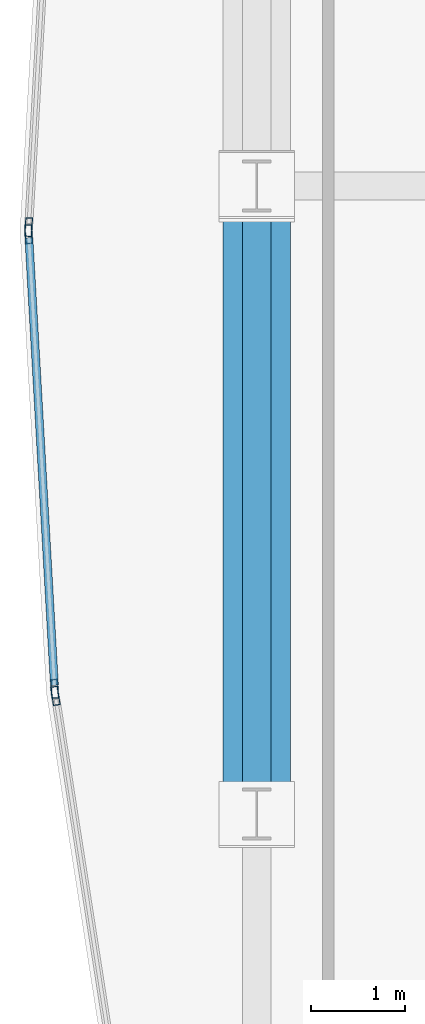
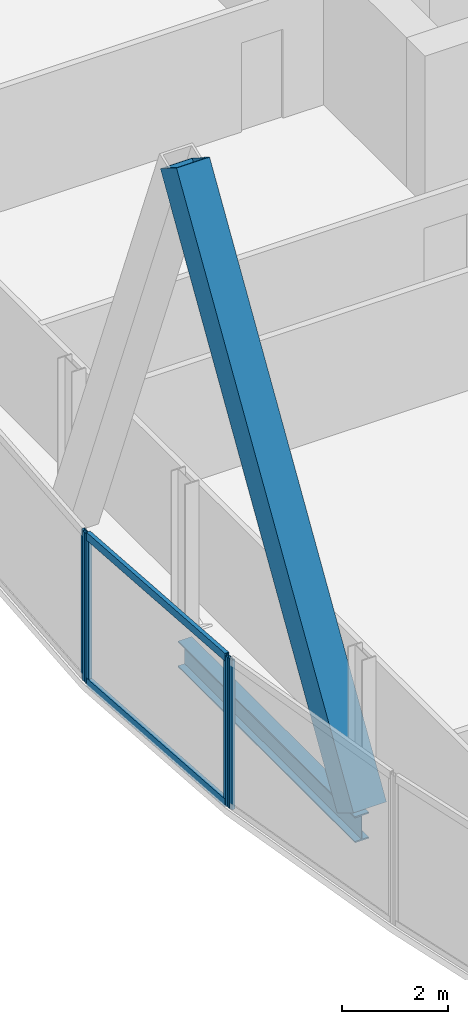
# One storey, part 10 of 30: 7 members, 1 beam, 3 elements without a shape of their own.
"""IFC4 building model written with IfcOpenShell, lengths in metres."""

from ifc_helpers import new_model, si_unit, direction, frame, origin, origin_2d, place, context, subcontext, project, spatial, hollow_rectangle, i_section, extrude, material, material_profile, profile_set, type_object, element, aggregate, save


model = new_model("IFC4")

# Units and contexts
model_context = context("Model", 3, precision=1e-05, world=origin(), true_north=direction((0.0, 1.0)))
body_context = subcontext(model_context, "Body", "Model", "MODEL_VIEW")
ifc_project = project(units=[si_unit("LENGTHUNIT", "METRE"), si_unit("AREAUNIT", "SQUARE_METRE"), si_unit("VOLUMEUNIT", "CUBIC_METRE"), si_unit("PLANEANGLEUNIT", "RADIAN"), si_unit("MASSUNIT", "GRAM", prefix="KILO")], contexts=[model_context])

# Site, building, storey
site_placement = place(None, origin())
site = spatial("IfcSite", under=ifc_project, at=site_placement, CompositionType="ELEMENT")
building_placement = place(site_placement, origin())
building = spatial("IfcBuilding", under=site, at=building_placement, Name="Khoronbel Lancet Exchange", CompositionType="ELEMENT")
storey_placement = place(building_placement, frame((0.0, 0.0, 157.800048828125)))
storey = spatial("IfcBuildingStorey", under=building, at=storey_placement, Name="L39", CompositionType="ELEMENT", Elevation=157.800048828125)

# Beam
ifc_material_1 = material(Name="Steel S355", Category="steel")
ifc_material_profile_1 = material_profile(ifc_material_1, i_section(OverallWidth=0.300048828125, OverallDepth=0.60009765625, WebThickness=0.015380859375, FlangeThickness=0.030029296875, at=origin_2d()), Name="HEB 600")
ifc_profile_set_1 = profile_set([ifc_material_profile_1], Name="Steel S355")
beam_type = type_object("IfcBeamType", Name="BM-BSP2", PredefinedType="SPANDREL", material=ifc_profile_set_1)
beam_placement = place(storey_placement, frame((5.27001953125, 31.425048828125, -0.4599609375), z_axis=(0.0, -1.0, 0.0), x_axis=(1.0, 0.0, 0.0)))
element("IfcBeam", 1, at=beam_placement, inside=storey, type_object=beam_type, Name="Level L39 perimeter spandrel beam SP19", PredefinedType="SPANDREL", context=body_context, shape_type="SweptSolid", body=[
    extrude(i_section(OverallWidth=0.300048828125, OverallDepth=0.60009765625, WebThickness=0.015380859375, FlangeThickness=0.030029296875, at=origin_2d()), origin(), (0.0, 0.0, 1.0), 6.675048828125),
])

# Curtain wall, member
ifc_material_2 = material(Name="Low-E Solar Control Insulating Glass", Category="glass")
curtain_wall_type = type_object("IfcCurtainWallType", Name="CW-4", PredefinedType="NOTDEFINED", material=ifc_material_2)
curtain_wall_1_placement = place(storey_placement, origin())
curtain_wall_1 = element("IfcCurtainWall", 2, at=curtain_wall_1_placement, inside=storey, type_object=curtain_wall_type, Name="Unitised curtain wall CW-L39-E05", PredefinedType="NOTDEFINED")
ifc_material_3 = material(Name="Bronze-Anodised Aluminium 6063-T6", Category="aluminium")
ifc_material_profile_2 = material_profile(ifc_material_3, hollow_rectangle(XDim=0.074951171875, YDim=0.199951171875, WallThickness=0.0048828125, at=origin_2d()), Name="ALU MULLION 75x200")
ifc_profile_set_2 = profile_set([ifc_material_profile_2], Name="Bronze-Anodised Aluminium 6063-T6")
member_type_1 = type_object("IfcMemberType", Name="MEM-CWM2", PredefinedType="MULLION", material=ifc_profile_set_2)
member_1_placement = place(storey_placement, frame((3.1298828125, 26.005859375, 0.0), z_axis=(0.0, 0.0, 1.0), x_axis=(-0.98804136719, -0.154189029189, 0.0)))
member_1 = element("IfcMember", 3, at=member_1_placement, type_object=member_type_1, Name="CW4 mullion 2", PredefinedType="MULLION", context=body_context, shape_type="SweptSolid", body=[
    extrude(hollow_rectangle(XDim=0.074951171875, YDim=0.199951171875, WallThickness=0.0048828125, at=origin_2d()), origin(), (0.0, 0.0, 1.0), 3.43994140625),
])
aggregate(curtain_wall_1, [member_1])

# Curtain wall, members
curtain_wall_2_placement = place(storey_placement, origin())
curtain_wall_2 = element("IfcCurtainWall", 4, at=curtain_wall_2_placement, inside=storey, type_object=curtain_wall_type, Name="Unitised curtain wall CW-L39-E06", PredefinedType="NOTDEFINED")
member_2_placement = place(storey_placement, frame((3.1220703125, 26.080322265625, 0.0), z_axis=(0.0, 0.0, 1.0), x_axis=(-0.998372625392, -0.05702719411, 0.0)))
member_2 = element("IfcMember", 5, at=member_2_placement, type_object=member_type_1, Name="CW4 mullion 1", PredefinedType="MULLION", context=body_context, shape_type="SweptSolid", body=[
    extrude(hollow_rectangle(XDim=0.074951171875, YDim=0.199951171875, WallThickness=0.0048828125, at=origin_2d()), origin(), (0.0, 0.0, 1.0), 3.43994140625),
])
member_3_placement = place(storey_placement, frame((2.845947265625, 30.91259765625, 0.0), z_axis=(0.0, 0.0, 1.0), x_axis=(-0.998372625392, -0.05702719411, 0.0)))
member_3 = element("IfcMember", 6, at=member_3_placement, type_object=member_type_1, Name="CW4 mullion 2", PredefinedType="MULLION", context=body_context, shape_type="SweptSolid", body=[
    extrude(hollow_rectangle(XDim=0.074951171875, YDim=0.199951171875, WallThickness=0.0048828125, at=origin_2d()), origin(), (0.0, 0.0, 1.0), 3.43994140625),
])

# Curtain wall, member
curtain_wall_3_placement = place(storey_placement, origin())
curtain_wall_3 = element("IfcCurtainWall", 7, at=curtain_wall_3_placement, inside=storey, type_object=curtain_wall_type, Name="Unitised curtain wall CW-L39-E07", PredefinedType="NOTDEFINED")
member_4_placement = place(storey_placement, frame((2.845947265625, 30.987548828125, 0.0), z_axis=(0.0, 0.0, 1.0), x_axis=(-0.998372625392, 0.05702719411, 0.0)))
member_4 = element("IfcMember", 8, at=member_4_placement, type_object=member_type_1, Name="CW4 mullion 1", PredefinedType="MULLION", context=body_context, shape_type="SweptSolid", body=[
    extrude(hollow_rectangle(XDim=0.074951171875, YDim=0.199951171875, WallThickness=0.0048828125, at=origin_2d()), origin(), (0.0, 0.0, 1.0), 3.43994140625),
])
aggregate(curtain_wall_3, [member_4])

# Member
ifc_material_profile_3 = material_profile(ifc_material_3, hollow_rectangle(XDim=0.0849609375, YDim=0.179931640625, WallThickness=0.0048828125, at=origin_2d()), Name="ALU TRANSOM 85x180")
ifc_profile_set_3 = profile_set([ifc_material_profile_3], Name="Bronze-Anodised Aluminium 6063-T6")
member_type_2 = type_object("IfcMemberType", Name="MEM-CWT1", PredefinedType="USERDEFINED", material=ifc_profile_set_3)
member_5_placement = place(storey_placement, frame((3.119873046875, 26.11767578125, 0.04248046875), z_axis=(-0.057024985757, 0.998372751531, 0.0), x_axis=(-0.998372751531, -0.057024985757, 0.0)))
member_5 = element("IfcMember", 9, at=member_5_placement, type_object=member_type_2, Name="CW4 transom 1.1", ObjectType="TRANSOM", PredefinedType="USERDEFINED", context=body_context, shape_type="SweptSolid", body=[
    extrude(hollow_rectangle(XDim=0.0849609375, YDim=0.179931640625, WallThickness=0.0048828125, at=origin_2d()), origin(), (0.0, 0.0, 1.0), 4.76513671875),
])

member_6_placement = place(storey_placement, frame((3.119873046875, 26.11767578125, 3.3974609375), z_axis=(-0.057024985757, 0.998372751531, 0.0), x_axis=(-0.998372751531, -0.057024985757, 0.0)))
member_6 = element("IfcMember", 10, at=member_6_placement, type_object=member_type_2, Name="CW4 transom 1.2", ObjectType="TRANSOM", PredefinedType="USERDEFINED", context=body_context, shape_type="SweptSolid", body=[
    extrude(hollow_rectangle(XDim=0.0849609375, YDim=0.179931640625, WallThickness=0.0048828125, at=origin_2d()), origin(), (0.0, 0.0, 1.0), 4.76513671875),
])

aggregate(curtain_wall_2, [member_2, member_3, member_5, member_6])

ifc_material_4 = material(Name="Steel S460", Category="steel")
ifc_material_profile_4 = material_profile(ifc_material_4, hollow_rectangle(XDim=0.719970703125, YDim=0.719970703125, WallThickness=0.050048828125, at=origin_2d()), Name="BOX 720x720x50")
ifc_profile_set_4 = profile_set([ifc_material_profile_4], Name="Steel S460")
member_type_3 = type_object("IfcMemberType", Name="MEM-MB2", PredefinedType="BRACE", material=ifc_profile_set_4)
member_7_placement = place(storey_placement, frame((5.27001953125, 24.75, 0.0), z_axis=(0.0, 0.525745449971, 0.850641946906), x_axis=(-1.0, 0.0, 0.0)))
element("IfcMember", 11, at=member_7_placement, inside=storey, type_object=member_type_3, Name="Perimeter lancet brace tier 13 W-P-L", PredefinedType="BRACE", context=body_context, shape_type="SweptSolid", body=[
    extrude(hollow_rectangle(XDim=0.719970703125, YDim=0.719970703125, WallThickness=0.050048828125, at=origin_2d()), origin(), (0.0, 0.0, 1.0), 12.6962890625),
])

save(model, "model.ifc")
